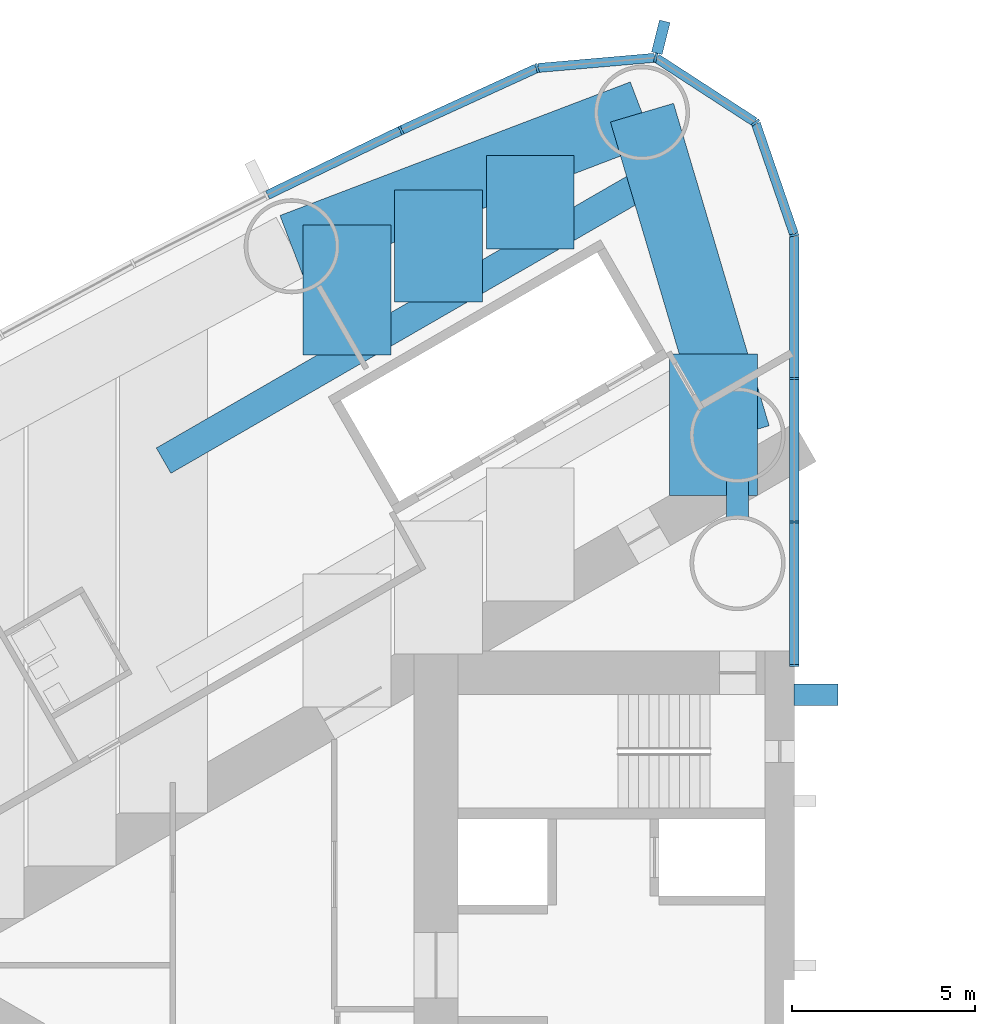
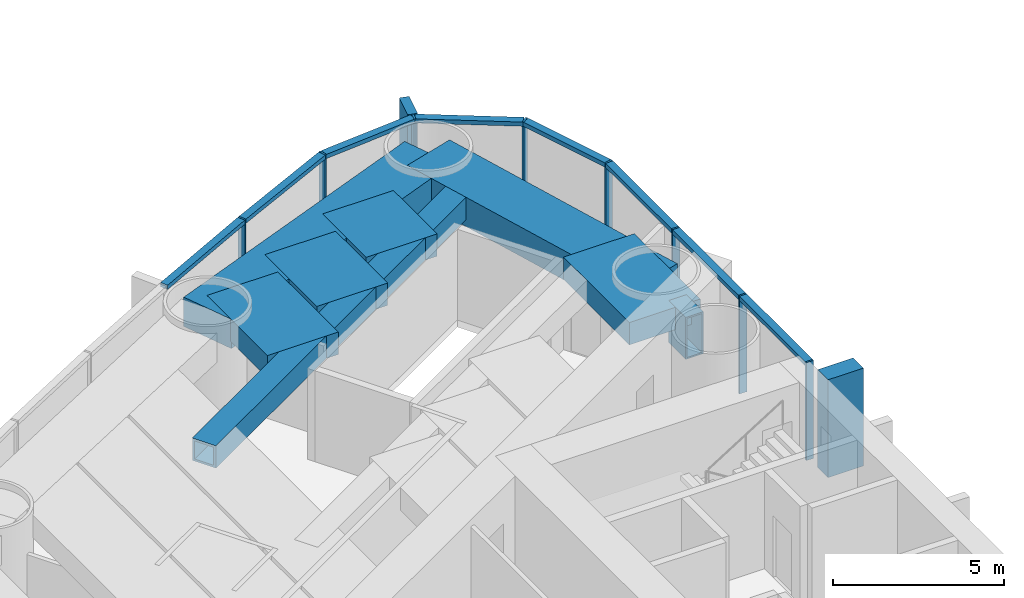
# One storey, part 5 of 18: 18 members, 8 beams, 1 element without a shape of its own.
"""IFC4 building model written with IfcOpenShell, lengths in metres."""

from ifc_helpers import new_model, si_unit, direction, frame, origin, origin_2d, place, context, subcontext, project, spatial, rectangle, hollow_rectangle, extrude, material, material_profile, profile_set, type_object, element, aggregate, save


model = new_model("IFC4")

# Units and contexts
model_context = context("Model", 3, precision=1e-05, world=origin(), true_north=direction((0.0, 1.0)))
body_context = subcontext(model_context, "Body", "Model", "MODEL_VIEW")
ifc_project = project(units=[si_unit("LENGTHUNIT", "METRE"), si_unit("AREAUNIT", "SQUARE_METRE"), si_unit("VOLUMEUNIT", "CUBIC_METRE"), si_unit("PLANEANGLEUNIT", "RADIAN"), si_unit("MASSUNIT", "GRAM", prefix="KILO")], contexts=[model_context])

# Site, building, storey
site_placement = place(None, origin())
site = spatial("IfcSite", under=ifc_project, at=site_placement, CompositionType="ELEMENT")
building_placement = place(site_placement, origin())
building = spatial("IfcBuilding", under=site, at=building_placement, Name="Lancet Gate Hotel", CompositionType="ELEMENT")
storey_placement = place(building_placement, frame((0.0, 0.0, 94.10009765625)))
storey = spatial("IfcBuildingStorey", under=building, at=storey_placement, Name="L24", CompositionType="ELEMENT", Elevation=94.10009765625)

# Curtain wall, members
ifc_material_1 = material(Name="Aluminium curtain wall", Category="aluminium")
curtain_wall_type = type_object("IfcCurtainWallType", Name="Tower unitised curtain wall", PredefinedType="USERDEFINED", material=ifc_material_1)
curtain_wall_placement = place(storey_placement, origin())
curtain_wall = element("IfcCurtainWall", 1, at=curtain_wall_placement, inside=storey, type_object=curtain_wall_type, Name="T1 L24 curtain wall 1", ObjectType="UNITISED CURTAIN WALL", PredefinedType="USERDEFINED")
ifc_material_2 = material(Name="Aluminium mullion", Category="aluminium")
ifc_material_profile_1 = material_profile(ifc_material_2, rectangle(XDim=0.06494140625, YDim=0.25, at=origin_2d()), Name="MULLION 65x250")
ifc_profile_set_1 = profile_set([ifc_material_profile_1], Name="Aluminium mullion")
member_type_1 = type_object("IfcMemberType", Name="Aluminium mullion 65x250", PredefinedType="MULLION", material=ifc_profile_set_1)
member_1_placement = place(storey_placement, frame((-27.5, 8.199951171875, 0.0), z_axis=(0.0, 0.0, 1.0), x_axis=(0.0, 1.0, 0.0)))
member_1 = element("IfcMember", 2, at=member_1_placement, type_object=member_type_1, Name="T1 L24 curtain wall 1 mullion 1", PredefinedType="MULLION", context=body_context, shape_type="SweptSolid", body=[
    extrude(rectangle(XDim=0.06494140625, YDim=0.25, at=origin_2d()), origin(), (0.0, 0.0, 1.0), 3.5),
])
member_2_placement = place(storey_placement, frame((-27.5, 12.123779296875, 0.0), z_axis=(0.0, 0.0, 1.0), x_axis=(0.0, 1.0, 0.0)))
member_2 = element("IfcMember", 3, at=member_2_placement, type_object=member_type_1, Name="T1 L24 curtain wall 1 mullion 2", PredefinedType="MULLION", context=body_context, shape_type="SweptSolid", body=[
    extrude(rectangle(XDim=0.06494140625, YDim=0.25, at=origin_2d()), origin(), (0.0, 0.0, 1.0), 3.5),
])
member_3_placement = place(storey_placement, frame((-27.5, 16.04736328125, 0.0), z_axis=(0.0, 0.0, 1.0), x_axis=(0.0, 1.0, 0.0)))
member_3 = element("IfcMember", 4, at=member_3_placement, type_object=member_type_1, Name="T1 L24 curtain wall 1 mullion 3", PredefinedType="MULLION", context=body_context, shape_type="SweptSolid", body=[
    extrude(rectangle(XDim=0.06494140625, YDim=0.25, at=origin_2d()), origin(), (0.0, 0.0, 1.0), 3.5),
])
member_4_placement = place(storey_placement, frame((-27.5, 19.97119140625, 0.0), z_axis=(0.0, 0.0, 1.0), x_axis=(-0.149634446211, 0.988741388082, 0.0)))
member_4 = element("IfcMember", 5, at=member_4_placement, type_object=member_type_1, Name="T1 L24 curtain wall 1 mullion 4", PredefinedType="MULLION", context=body_context, shape_type="SweptSolid", body=[
    extrude(rectangle(XDim=0.06494140625, YDim=0.25, at=origin_2d()), origin(), (0.0, 0.0, 1.0), 3.5),
])
member_5_placement = place(storey_placement, frame((-28.5595703125, 23.049072265625, 0.0), z_axis=(0.0, 0.0, 1.0), x_axis=(-0.615574240878, 0.788078900851, 0.0)))
member_5 = element("IfcMember", 6, at=member_5_placement, type_object=member_type_1, Name="T1 L24 curtain wall 1 mullion 5", PredefinedType="MULLION", context=body_context, shape_type="SweptSolid", body=[
    extrude(rectangle(XDim=0.06494140625, YDim=0.25, at=origin_2d()), origin(), (0.0, 0.0, 1.0), 3.5),
])
member_6_placement = place(storey_placement, frame((-31.289306640625, 24.822265625, 0.0), z_axis=(0.0, 0.0, 1.0), x_axis=(-0.970242142288, 0.242136707934, 0.0)))
member_6 = element("IfcMember", 7, at=member_6_placement, type_object=member_type_1, Name="T1 L24 curtain wall 1 mullion 6", PredefinedType="MULLION", context=body_context, shape_type="SweptSolid", body=[
    extrude(rectangle(XDim=0.06494140625, YDim=0.25, at=origin_2d()), origin(), (0.0, 0.0, 1.0), 3.5),
])
member_7_placement = place(storey_placement, frame((-34.5322265625, 24.53955078125, 0.0), z_axis=(0.0, 0.0, 1.0), x_axis=(-0.961653318232, -0.27426792655, 0.0)))
member_7 = element("IfcMember", 8, at=member_7_placement, type_object=member_type_1, Name="T1 L24 curtain wall 1 mullion 7", PredefinedType="MULLION", context=body_context, shape_type="SweptSolid", body=[
    extrude(rectangle(XDim=0.06494140625, YDim=0.25, at=origin_2d()), origin(), (0.0, 0.0, 1.0), 3.5),
])
member_8_placement = place(storey_placement, frame((-38.25244140625, 22.83642578125, 0.0), z_axis=(0.0, 0.0, 1.0), x_axis=(-0.904719609771, -0.426007544178, 0.0)))
member_8 = element("IfcMember", 9, at=member_8_placement, type_object=member_type_1, Name="T1 L24 curtain wall 1 mullion 8", PredefinedType="MULLION", context=body_context, shape_type="SweptSolid", body=[
    extrude(rectangle(XDim=0.06494140625, YDim=0.25, at=origin_2d()), origin(), (0.0, 0.0, 1.0), 3.5),
])
ifc_material_3 = material(Name="Aluminium transom", Category="aluminium")
ifc_material_profile_2 = material_profile(ifc_material_3, rectangle(XDim=0.25, YDim=0.14990234375, at=origin_2d()), Name="TRANSOM 250x150")
ifc_profile_set_2 = profile_set([ifc_material_profile_2], Name="Aluminium transom")
member_type_2 = type_object("IfcMemberType", Name="Aluminium transom 250x150", PredefinedType="USERDEFINED", material=ifc_profile_set_2)
member_9_placement = place(storey_placement, frame((-27.5, 8.232421875, 3.4248046875), z_axis=(0.0, 1.0, 0.0), x_axis=(-1.0, 0.0, 0.0)))
member_9 = element("IfcMember", 10, at=member_9_placement, type_object=member_type_2, Name="T1 L24 curtain wall 1 transom 1", ObjectType="TRANSOM", PredefinedType="USERDEFINED", context=body_context, shape_type="SweptSolid", body=[
    extrude(rectangle(XDim=0.25, YDim=0.14990234375, at=origin_2d()), origin(), (0.0, 0.0, 1.0), 3.85888671875),
])
member_10_placement = place(storey_placement, frame((-27.5, 12.15625, 3.4248046875), z_axis=(0.0, 1.0, 0.0), x_axis=(-1.0, 0.0, 0.0)))
member_10 = element("IfcMember", 11, at=member_10_placement, type_object=member_type_2, Name="T1 L24 curtain wall 1 transom 2", ObjectType="TRANSOM", PredefinedType="USERDEFINED", context=body_context, shape_type="SweptSolid", body=[
    extrude(rectangle(XDim=0.25, YDim=0.14990234375, at=origin_2d()), origin(), (0.0, 0.0, 1.0), 3.858642578125),
])
member_11_placement = place(storey_placement, frame((-27.5, 16.079833984375, 3.4248046875), z_axis=(0.0, 1.0, 0.0), x_axis=(-1.0, 0.0, 0.0)))
member_11 = element("IfcMember", 12, at=member_11_placement, type_object=member_type_2, Name="T1 L24 curtain wall 1 transom 3", ObjectType="TRANSOM", PredefinedType="USERDEFINED", context=body_context, shape_type="SweptSolid", body=[
    extrude(rectangle(XDim=0.25, YDim=0.14990234375, at=origin_2d()), origin(), (0.0, 0.0, 1.0), 3.858642578125),
])
member_12_placement = place(storey_placement, frame((-27.510498046875, 20.001708984375, 3.4248046875), z_axis=(-0.32553312754, 0.945530635609, 0.0), x_axis=(-0.945530635609, -0.32553312754, 0.0)))
member_12 = element("IfcMember", 13, at=member_12_placement, type_object=member_type_2, Name="T1 L24 curtain wall 1 transom 4", ObjectType="TRANSOM", PredefinedType="USERDEFINED", context=body_context, shape_type="SweptSolid", body=[
    extrude(rectangle(XDim=0.25, YDim=0.14990234375, at=origin_2d()), origin(), (0.0, 0.0, 1.0), 3.1904296875),
])
member_13_placement = place(storey_placement, frame((-28.5869140625, 23.066650390625, 3.4248046875), z_axis=(-0.838550259452, 0.544824249068, 0.0), x_axis=(-0.544824249068, -0.838550259452, 0.0)))
member_13 = element("IfcMember", 14, at=member_13_placement, type_object=member_type_2, Name="T1 L24 curtain wall 1 transom 5", ObjectType="TRANSOM", PredefinedType="USERDEFINED", context=body_context, shape_type="SweptSolid", body=[
    extrude(rectangle(XDim=0.25, YDim=0.14990234375, at=origin_2d()), origin(), (0.0, 0.0, 1.0), 3.190185546875),
])
member_14_placement = place(storey_placement, frame((-31.32177734375, 24.819580078125, 3.4248046875), z_axis=(-0.996213545522, -0.086940046686, 0.0), x_axis=(0.086940046686, -0.996213545522, 0.0)))
member_14 = element("IfcMember", 15, at=member_14_placement, type_object=member_type_2, Name="T1 L24 curtain wall 1 transom 6", ObjectType="TRANSOM", PredefinedType="USERDEFINED", context=body_context, shape_type="SweptSolid", body=[
    extrude(rectangle(XDim=0.25, YDim=0.14990234375, at=origin_2d()), origin(), (0.0, 0.0, 1.0), 3.18994140625),
])
member_15_placement = place(storey_placement, frame((-34.561767578125, 24.52587890625, 3.4248046875), z_axis=(-0.909252284196, -0.416245460857, 0.0), x_axis=(0.416245460857, -0.909252284196, 0.0)))
member_15 = element("IfcMember", 16, at=member_15_placement, type_object=member_type_2, Name="T1 L24 curtain wall 1 transom 7", ObjectType="TRANSOM", PredefinedType="USERDEFINED", context=body_context, shape_type="SweptSolid", body=[
    extrude(rectangle(XDim=0.25, YDim=0.14990234375, at=origin_2d()), origin(), (0.0, 0.0, 1.0), 4.026611328125),
])
member_16_placement = place(storey_placement, frame((-38.28173828125, 22.822265625, 3.4248046875), z_axis=(-0.900065677074, -0.435754262117, 0.0), x_axis=(0.435754262117, -0.900065677074, 0.0)))
member_16 = element("IfcMember", 17, at=member_16_placement, type_object=member_type_2, Name="T1 L24 curtain wall 1 transom 8", ObjectType="TRANSOM", PredefinedType="USERDEFINED", context=body_context, shape_type="SweptSolid", body=[
    extrude(rectangle(XDim=0.25, YDim=0.14990234375, at=origin_2d()), origin(), (0.0, 0.0, 1.0), 4.026611328125),
])

# Beams
ifc_material_4 = material(Name="Concrete C50/60", Category="concrete")
ifc_material_profile_3 = material_profile(ifc_material_4, rectangle(XDim=1.800048828125, YDim=1.050048828125, at=origin_2d()), Name="RC 1800x1050")
ifc_profile_set_3 = profile_set([ifc_material_profile_3], Name="Concrete C50/60")
beam_type_1 = type_object("IfcBeamType", Name="Edge beam RC 1800x1050", PredefinedType="SPANDREL", material=ifc_profile_set_3)
beam_1_placement = place(storey_placement, frame((-31.66455078125, 23.318359375, 2.724853515625), z_axis=(-0.934392266213, -0.356245832033, 0.0), x_axis=(0.356245832033, -0.934392266213, 0.0)))
element("IfcBeam", 18, at=beam_1_placement, inside=storey, type_object=beam_type_1, Name="T1 edge beam EB1 L24", PredefinedType="SPANDREL", context=body_context, shape_type="SweptSolid", body=[
    extrude(rectangle(XDim=1.800048828125, YDim=1.050048828125, at=origin_2d()), origin(), (0.0, 0.0, 1.0), 10.2529296875),
])
beam_2_placement = place(storey_placement, frame((-31.66455078125, 23.318359375, 2.724853515625), z_axis=(0.284253711522, -0.958749095168, 0.0), x_axis=(0.958749095168, 0.284253711522, 0.0)))
element("IfcBeam", 19, at=beam_2_placement, inside=storey, type_object=beam_type_1, Name="T1 edge beam EB1 L24", PredefinedType="SPANDREL", context=body_context, shape_type="SweptSolid", body=[
    extrude(rectangle(XDim=1.800048828125, YDim=1.050048828125, at=origin_2d()), origin(), (0.0, 0.0, 1.0), 9.19775390625),
])

# Member
ifc_material_5 = material(Name="Concrete C60/75", Category="concrete")
ifc_material_profile_4 = material_profile(ifc_material_5, rectangle(XDim=0.60009765625, YDim=1.199951171875, at=origin_2d()), Name="FIN 600x1200")
ifc_profile_set_4 = profile_set([ifc_material_profile_4], Name="Concrete C60/75")
member_type_3 = type_object("IfcMemberType", Name="Exposed concrete buttress pilaster 600x1200", PredefinedType="USERDEFINED", material=ifc_profile_set_4)
member_17_placement = place(storey_placement, frame((-26.909912109375, 7.39990234375, 0.0), z_axis=(0.0, 0.0, 1.0), x_axis=(0.0, 1.0, 0.0)))
element("IfcMember", 20, at=member_17_placement, inside=storey, type_object=member_type_3, Name="T1 buttress pilaster S L24", ObjectType="FIN", PredefinedType="USERDEFINED", context=body_context, shape_type="SweptSolid", body=[
    extrude(rectangle(XDim=0.60009765625, YDim=1.199951171875, at=origin_2d()), origin(), (0.0, 0.0, 1.0), 3.5),
])

ifc_material_6 = material(Name="Precast concrete C50/60", Category="concrete")
ifc_material_profile_5 = material_profile(ifc_material_6, rectangle(XDim=0.300048828125, YDim=0.89990234375, at=origin_2d()), Name="FIN 300x900")
ifc_profile_set_5 = profile_set([ifc_material_profile_5], Name="Precast concrete C50/60")
member_type_4 = type_object("IfcMemberType", Name="Exposed concrete fin 300x900", PredefinedType="USERDEFINED", material=ifc_profile_set_5)
member_18_placement = place(storey_placement, frame((-31.150146484375, 25.380126953125, 0.0), z_axis=(0.0, 0.0, 1.0), x_axis=(-0.970242142288, 0.242136707934, 0.0)))
member_18 = element("IfcMember", 21, at=member_18_placement, type_object=member_type_4, Name="T1 L24 curtain wall 1 fin 6", ObjectType="FIN", PredefinedType="USERDEFINED", context=body_context, shape_type="SweptSolid", body=[
    extrude(rectangle(XDim=0.300048828125, YDim=0.89990234375, at=origin_2d()), origin(), (0.0, 0.0, 1.0), 3.5),
])

aggregate(curtain_wall, [member_1, member_2, member_3, member_4, member_5, member_6, member_18, member_7, member_8, member_9, member_10, member_11, member_12, member_13, member_14, member_15, member_16])

# Beams
ifc_material_7 = material(Name="Concrete C50/60", Category="concrete")
ifc_material_profile_6 = material_profile(ifc_material_7, rectangle(XDim=2.39990234375, YDim=0.800048828125, at=origin_2d()), Name="RC 2400x800")
ifc_profile_set_6 = profile_set([ifc_material_profile_6], Name="Concrete C50/60")
beam_type_2 = type_object("IfcBeamType", Name="Floor beam RC 2400x800", PredefinedType="BEAM", material=ifc_profile_set_6)
beam_3_placement = place(storey_placement, frame((-29.706787109375, 16.71533203125, 2.849853515625), z_axis=(0.0, -1.0, 0.0), x_axis=(1.0, 0.0, 0.0)))
element("IfcBeam", 22, at=beam_3_placement, inside=storey, type_object=beam_type_2, Name="T1 floor beam F02S L24", PredefinedType="BEAM", context=body_context, shape_type="SweptSolid", body=[
    extrude(rectangle(XDim=2.39990234375, YDim=0.800048828125, at=origin_2d()), origin(), (0.0, 0.0, 1.0), 3.86279296875),
])
beam_4_placement = place(storey_placement, frame((-34.720458984375, 22.1533203125, 2.849853515625), z_axis=(0.0, -1.0, 0.0), x_axis=(1.0, 0.0, 0.0)))
element("IfcBeam", 23, at=beam_4_placement, inside=storey, type_object=beam_type_2, Name="T1 floor beam F04SA L24", PredefinedType="BEAM", context=body_context, shape_type="SweptSolid", body=[
    extrude(rectangle(XDim=2.39990234375, YDim=0.800048828125, at=origin_2d()), origin(), (0.0, 0.0, 1.0), 2.561767578125),
])
beam_5_placement = place(storey_placement, frame((-37.227294921875, 21.197509765625, 2.849853515625), z_axis=(0.0, -1.0, 0.0), x_axis=(1.0, 0.0, 0.0)))
element("IfcBeam", 24, at=beam_5_placement, inside=storey, type_object=beam_type_2, Name="T1 floor beam F05SA L24", PredefinedType="BEAM", context=body_context, shape_type="SweptSolid", body=[
    extrude(rectangle(XDim=2.39990234375, YDim=0.800048828125, at=origin_2d()), origin(), (0.0, 0.0, 1.0), 3.053466796875),
])
beam_6_placement = place(storey_placement, frame((-39.734130859375, 20.24169921875, 2.849853515625), z_axis=(0.0, -1.0, 0.0), x_axis=(1.0, 0.0, 0.0)))
element("IfcBeam", 25, at=beam_6_placement, inside=storey, type_object=beam_type_2, Name="T1 floor beam F07SA L24", PredefinedType="BEAM", context=body_context, shape_type="SweptSolid", body=[
    extrude(rectangle(XDim=2.39990234375, YDim=0.800048828125, at=origin_2d()), origin(), (0.0, 0.0, 1.0), 3.545166015625),
])
ifc_material_8 = material(Name="Steel S460QL", Category="steel")
ifc_material_profile_7 = material_profile(ifc_material_8, hollow_rectangle(XDim=0.60009765625, YDim=1.5, WallThickness=0.050048828125, at=origin_2d()), Name="BOX 1500x600x50")
ifc_profile_set_7 = profile_set([ifc_material_profile_7], Name="Steel S460QL")
beam_type_3 = type_object("IfcBeamType", Name="Inner-face link beam BOX 1500x600x50", PredefinedType="BEAM", material=ifc_profile_set_7)
beam_7_placement = place(storey_placement, frame((-29.050048828125, 13.25, 2.5), z_axis=(0.0, -1.0, 0.0), x_axis=(1.0, 0.0, 0.0)))
element("IfcBeam", 26, at=beam_7_placement, inside=storey, type_object=beam_type_3, Name="T1 inner-face link beam LK1 L24", PredefinedType="BEAM", context=body_context, shape_type="SweptSolid", body=[
    extrude(hollow_rectangle(XDim=0.60009765625, YDim=1.5, WallThickness=0.050048828125, at=origin_2d()), origin(), (0.0, 0.0, 1.0), 1.0),
])
ifc_material_9 = material(Name="Steel S460QL", Category="steel")
ifc_material_profile_8 = material_profile(ifc_material_9, hollow_rectangle(XDim=0.800048828125, YDim=0.800048828125, WallThickness=0.080078125, at=origin_2d()), Name="BOX 800x800x80")
ifc_profile_set_8 = profile_set([ifc_material_profile_8], Name="Steel S460QL")
beam_type_4 = type_object("IfcBeamType", Name="Trimmer beam BOX 800x800x80", PredefinedType="BEAM", material=ifc_profile_set_8)
beam_8_placement = place(storey_placement, frame((-31.16796875, 21.642822265625, 2.849853515625), z_axis=(-0.866004868127, -0.500035567115, 0.0), x_axis=(0.500035567115, -0.866004868127, 0.0)))
element("IfcBeam", 27, at=beam_8_placement, inside=storey, type_object=beam_type_4, Name="T1 trimmer beam TR04S L24", PredefinedType="BEAM", context=body_context, shape_type="SweptSolid", body=[
    extrude(hollow_rectangle(XDim=0.800048828125, YDim=0.800048828125, WallThickness=0.080078125, at=origin_2d()), origin(), (0.0, 0.0, 1.0), 15.680908203125),
])

save(model, "model.ifc")
